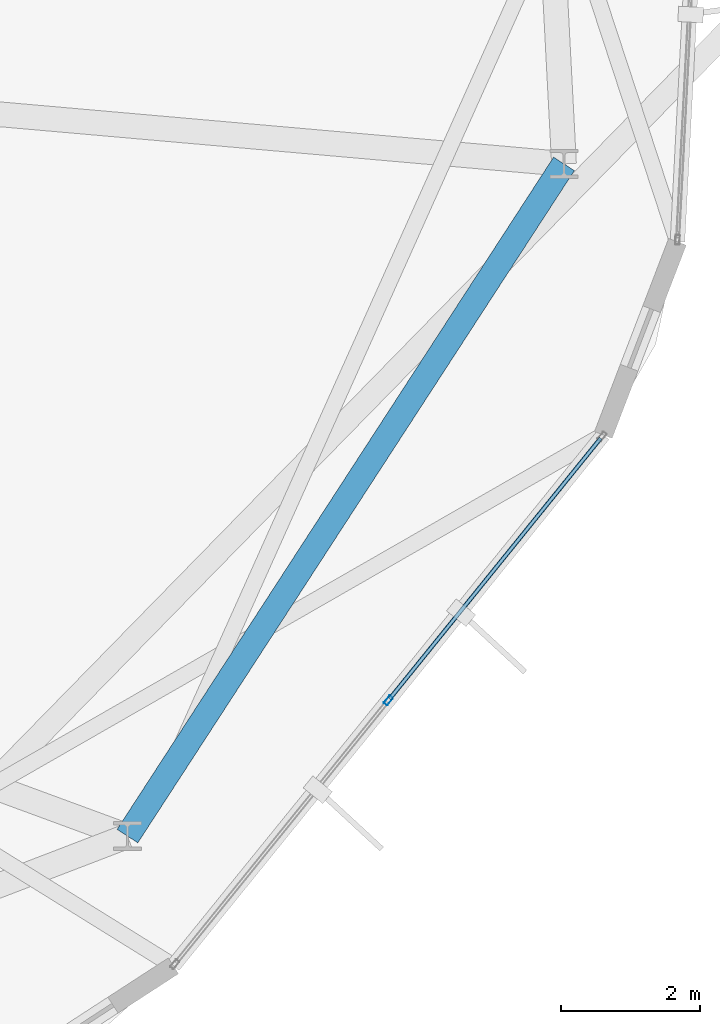
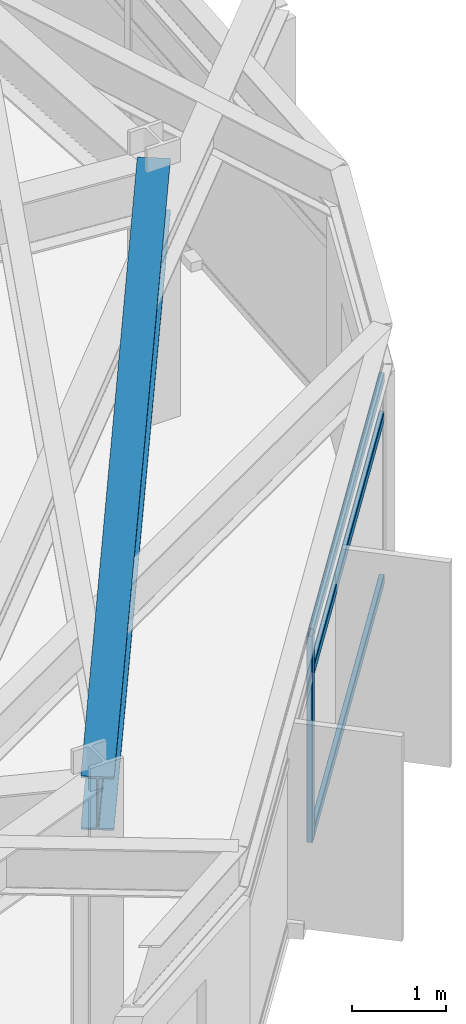
# One storey, part 10 of 29: 4 members, 1 beam, 1 element without a shape of its own.
"""IFC4 building model written with IfcOpenShell, lengths in metres."""

from ifc_helpers import new_model, si_unit, direction, frame, origin, origin_2d, place, context, subcontext, project, spatial, hollow_rectangle, i_section, extrude, material, layer, layer_set, material_profile, profile_set, type_object, element, aggregate, save


model = new_model("IFC4")

# Units and contexts
model_context = context("Model", 3, precision=1e-05, world=origin(), true_north=direction((0.0, 1.0)))
body_context = subcontext(model_context, "Body", "Model", "MODEL_VIEW")
ifc_project = project(units=[si_unit("LENGTHUNIT", "METRE"), si_unit("AREAUNIT", "SQUARE_METRE"), si_unit("VOLUMEUNIT", "CUBIC_METRE"), si_unit("PLANEANGLEUNIT", "RADIAN"), si_unit("MASSUNIT", "GRAM", prefix="KILO")], contexts=[model_context])

# Site, building, storey
site_placement = place(None, origin())
site = spatial("IfcSite", under=ifc_project, at=site_placement, CompositionType="ELEMENT")
building_placement = place(site_placement, origin())
building = spatial("IfcBuilding", under=site, at=building_placement, Name="Soratama Intermodal Tower", CompositionType="ELEMENT")
storey_placement = place(building_placement, frame((0.0, 0.0, 219.39990234375)))
storey = spatial("IfcBuildingStorey", under=building, at=storey_placement, Name="L55", CompositionType="ELEMENT", Elevation=219.39990234375)

# Beam
ifc_material_1 = material(Name="Structural steel ASTM A992 Grade 50", Category="steel")
ifc_material_profile_1 = material_profile(ifc_material_1, i_section(OverallWidth=0.35498046875, OverallDepth=0.695068359375, WebThickness=0.015380859375, FlangeThickness=0.02490234375, FilletRadius=0.01611328125, at=origin_2d()), Name="W27X146")
ifc_profile_set_1 = profile_set([ifc_material_profile_1], Name="Structural steel ASTM A992 Grade 50")
beam_type = type_object("IfcBeamType", Name="BM-RING-W27X146", PredefinedType="BEAM", material=ifc_profile_set_1)
beam_placement = place(storey_placement, frame((56.705078125, 10.544921875, 2.95263671875), z_axis=(0.544637453764, 0.83867159482, 0.0), x_axis=(-0.83867159482, 0.544637453764, 0.0)))
element("IfcBeam", 1, at=beam_placement, inside=storey, type_object=beam_type, Name="BM-L55-RING-09", PredefinedType="BEAM", context=body_context, shape_type="SweptSolid", body=[
    extrude(i_section(OverallWidth=0.35498046875, OverallDepth=0.695068359375, WebThickness=0.015380859375, FlangeThickness=0.02490234375, FilletRadius=0.01611328125, at=origin_2d()), origin(), (0.0, 0.0, 1.0), 11.49560546875),
])

# Curtain wall, members
ifc_material_2 = material(Name="Double-glazed aluminium curtain wall", Category="aluminium")
ifc_layer = layer(ifc_material_2, 0.159912109375)
ifc_layer_set = layer_set([ifc_layer], Name="Double-glazed aluminium curtain wall")
curtain_wall_type = type_object("IfcCurtainWallType", Name="CW-SYS-5", PredefinedType="NOTDEFINED", material=ifc_layer_set)
curtain_wall_placement = place(storey_placement, origin())
curtain_wall = element("IfcCurtainWall", 2, at=curtain_wall_placement, inside=storey, type_object=curtain_wall_type, Name="L55 Faceted Curtain Wall F08", PredefinedType="NOTDEFINED")
ifc_material_3 = material(Name="Anodised aluminium AA 6063-T6", Category="aluminium")
ifc_material_profile_2 = material_profile(ifc_material_3, hollow_rectangle(XDim=0.06494140625, YDim=0.139892578125, WallThickness=0.0048828125, InnerFilletRadius=0.0048828125, OuterFilletRadius=0.010009765625, at=origin_2d()), Name="CWM140X65X5")
ifc_profile_set_2 = profile_set([ifc_material_profile_2], Name="Anodised aluminium AA 6063-T6")
member_type_1 = type_object("IfcMemberType", Name="MT-CWM-5", PredefinedType="MULLION", material=ifc_profile_set_2)
member_1_placement = place(storey_placement, frame((60.447509765625, 12.490966796875, 0.0), z_axis=(0.0, 0.0, 1.0), x_axis=(-0.777152878151, 0.629311849549, 0.0)))
member_1 = element("IfcMember", 3, at=member_1_placement, type_object=member_type_1, Name="CW-5 mullion 2", PredefinedType="MULLION", context=body_context, shape_type="SweptSolid", body=[
    extrude(hollow_rectangle(XDim=0.06494140625, YDim=0.139892578125, WallThickness=0.0048828125, InnerFilletRadius=0.0048828125, OuterFilletRadius=0.010009765625, at=origin_2d()), origin(), (0.0, 0.0, 1.0), 2.67919921875),
])
ifc_material_4 = material(Name="Anodised aluminium AA 6063-T6", Category="aluminium")
ifc_material_profile_3 = material_profile(ifc_material_4, hollow_rectangle(XDim=0.06005859375, YDim=0.1298828125, WallThickness=0.0048828125, InnerFilletRadius=0.0048828125, OuterFilletRadius=0.010009765625, at=origin_2d()), Name="CWT130X60X5")
ifc_profile_set_3 = profile_set([ifc_material_profile_3], Name="Anodised aluminium AA 6063-T6")
member_type_2 = type_object("IfcMemberType", Name="TT-CWT-2", PredefinedType="USERDEFINED", material=ifc_profile_set_3)
member_2_placement = place(storey_placement, frame((60.46630859375, 12.51416015625, 0.030029296875), z_axis=(0.629284393369, 0.777175110423, 0.0), x_axis=(-0.777175110423, 0.629284393369, 0.0)))
member_2 = element("IfcMember", 4, at=member_2_placement, type_object=member_type_2, Name="CW-5 transom 2.1", ObjectType="TRANSOM", PredefinedType="USERDEFINED", context=body_context, shape_type="SweptSolid", body=[
    extrude(hollow_rectangle(XDim=0.06005859375, YDim=0.1298828125, WallThickness=0.0048828125, InnerFilletRadius=0.0048828125, OuterFilletRadius=0.010009765625, at=origin_2d()), origin(), (0.0, 0.0, 1.0), 4.808837890625),
])
member_3_placement = place(storey_placement, frame((60.46630859375, 12.51416015625, 2.150146484375), z_axis=(0.629284393369, 0.777175110423, 0.0), x_axis=(-0.777175110423, 0.629284393369, 0.0)))
member_3 = element("IfcMember", 5, at=member_3_placement, type_object=member_type_2, Name="CW-5 transom 2.2", ObjectType="TRANSOM", PredefinedType="USERDEFINED", context=body_context, shape_type="SweptSolid", body=[
    extrude(hollow_rectangle(XDim=0.06005859375, YDim=0.1298828125, WallThickness=0.0048828125, InnerFilletRadius=0.0048828125, OuterFilletRadius=0.010009765625, at=origin_2d()), origin(), (0.0, 0.0, 1.0), 4.808837890625),
])
member_4_placement = place(storey_placement, frame((60.46630859375, 12.51416015625, 2.649169921875), z_axis=(0.629284393369, 0.777175110423, 0.0), x_axis=(-0.777175110423, 0.629284393369, 0.0)))
member_4 = element("IfcMember", 6, at=member_4_placement, type_object=member_type_2, Name="CW-5 transom 2.3", ObjectType="TRANSOM", PredefinedType="USERDEFINED", context=body_context, shape_type="SweptSolid", body=[
    extrude(hollow_rectangle(XDim=0.06005859375, YDim=0.1298828125, WallThickness=0.0048828125, InnerFilletRadius=0.0048828125, OuterFilletRadius=0.010009765625, at=origin_2d()), origin(), (0.0, 0.0, 1.0), 4.808837890625),
])
aggregate(curtain_wall, [member_1, member_2, member_3, member_4])

save(model, "model.ifc")
